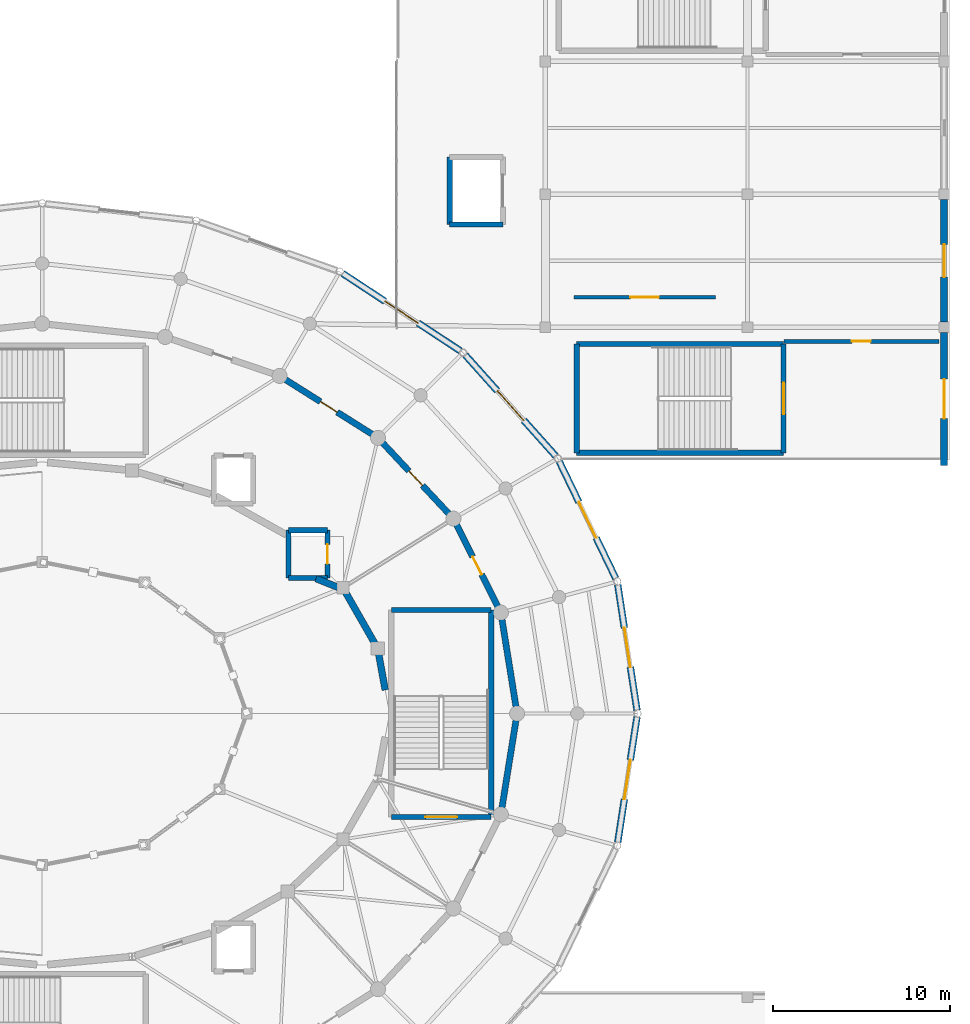
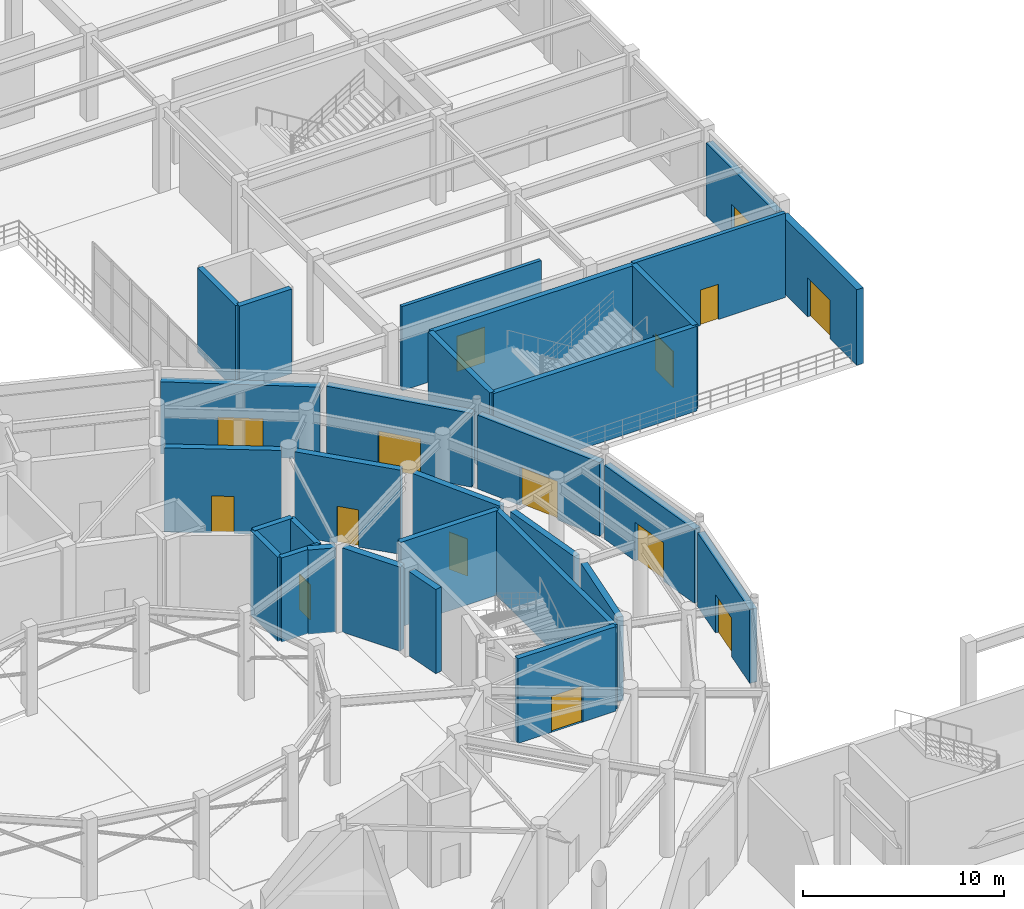
# One storey, part 61 of 93: 30 walls, 15 doors, 15 openings.
"""IFC4 building model written with IfcOpenShell, lengths in metres."""

from ifc_helpers import new_model, si_unit, direction, frame, frame_2d, origin, place, context, subcontext, project, spatial, rectangle, extrude, material, layer, layer_set, type_object, element, fill, save


model = new_model("IFC4")

# Units and contexts
model_context = context("Model", 3, precision=1e-05, world=origin(), true_north=direction((0.0, 1.0)))
body_context = subcontext(model_context, "Body", "Model", "MODEL_VIEW")
ifc_project = project(units=[si_unit("LENGTHUNIT", "METRE"), si_unit("AREAUNIT", "SQUARE_METRE"), si_unit("VOLUMEUNIT", "CUBIC_METRE"), si_unit("PLANEANGLEUNIT", "RADIAN"), si_unit("MASSUNIT", "GRAM", prefix="KILO")], contexts=[model_context])

# Site, building, storey
site_placement = place(None, origin())
site = spatial("IfcSite", under=ifc_project, at=site_placement, CompositionType="ELEMENT")
building_placement = place(site_placement, origin())
building = spatial("IfcBuilding", under=site, at=building_placement, Name="Cinderbank Siding Concert Hall", CompositionType="ELEMENT")
storey_placement = place(building_placement, origin())
storey = spatial("IfcBuildingStorey", under=building, at=storey_placement, Name="L01", CompositionType="ELEMENT", Elevation=0.0)

# Walls
ifc_material_1 = material(Name="Reinforced concrete AS 3600 N50 (50 MPa)", Category="concrete")
ifc_layer_1 = layer(ifc_material_1, 0.3798828125)
ifc_layer_set_1 = layer_set([ifc_layer_1], Name="Reinforced concrete AS 3600 N50 (50 MPa)")
wall_type_1 = type_object("IfcWallType", Name="WL-01 Structural Wall 380mm", PredefinedType="SOLIDWALL", material=ifc_layer_set_1)
wall_1_placement = place(storey_placement, frame((141.358642578125, 45.328125, 0.0), z_axis=(0.0, 0.0, 1.0), x_axis=(-0.17880262372, 0.983884963678, 0.0)))
element("IfcWall", 1, at=wall_1_placement, inside=storey, type_object=wall_type_1, Name="L01 Structural Wall SW-E1-L01-01", PredefinedType="SOLIDWALL", context=body_context, shape_type="SweptSolid", body=[
    extrude(rectangle(XDim=2.075439453125, YDim=0.3798828125, at=frame_2d((1.03759765625, 0.0))), origin(), (0.0, 0.0, 1.0), 5.1201171875),
])
wall_2_placement = place(storey_placement, frame((140.7783203125, 47.9443359375, 0.0), z_axis=(0.0, 0.0, 1.0), x_axis=(-0.496366522372, 0.868113054543, 0.0)))
element("IfcWall", 2, at=wall_2_placement, inside=storey, type_object=wall_type_1, Name="L01 Structural Wall SW-E1-L01-02", PredefinedType="SOLIDWALL", context=body_context, shape_type="SweptSolid", body=[
    extrude(rectangle(XDim=3.35009765625, YDim=0.3798828125, at=frame_2d((1.675048828125, 0.0))), origin(), (0.0, 0.0, 1.0), 5.1201171875),
])
wall_3_placement = place(storey_placement, frame((138.75, 51.10009765625, 0.0), z_axis=(0.0, 0.0, 1.0), x_axis=(-0.928476690885, 0.371390676354, 0.0)))
element("IfcWall", 3, at=wall_3_placement, inside=storey, type_object=wall_type_1, Name="L01 Structural Wall SW-E1-L01-03", PredefinedType="SOLIDWALL", context=body_context, shape_type="SweptSolid", body=[
    extrude(rectangle(XDim=1.400146484375, YDim=0.3798828125, at=frame_2d((0.7001953125, 0.0))), origin(), (0.0, 0.0, 1.0), 5.1201171875),
])
ifc_layer_2 = layer(ifc_material_1, 0.35009765625)
ifc_layer_set_2 = layer_set([ifc_layer_2], Name="Reinforced concrete AS 3600 N50 (50 MPa)")
wall_type_2 = type_object("IfcWallType", Name="WL-02 Structural Wall 350mm", PredefinedType="SHEAR", material=ifc_layer_set_2)
wall_4_placement = place(storey_placement, frame((148.742919921875, 44.35546875, 0.0), z_axis=(0.0, 0.0, 1.0), x_axis=(-0.158339548841, 0.987384721004, 0.0)))
element("IfcWall", 4, at=wall_4_placement, inside=storey, type_object=wall_type_2, Name="L01 Structural Wall SW-E2-L01-01", PredefinedType="SHEAR", context=body_context, shape_type="SweptSolid", body=[
    extrude(rectangle(XDim=5.046630859375, YDim=0.35009765625, at=frame_2d((2.5234375, 0.0))), origin(), (0.0, 0.0, 1.0), 5.1201171875),
])

# Wall, opening, door
wall_5_placement = place(storey_placement, frame((147.724609375, 50.015380859375, 0.0), z_axis=(0.0, 0.0, 1.0), x_axis=(-0.450482420117, 0.892785298471, 0.0)))
wall_5 = element("IfcWall", 5, at=wall_5_placement, inside=storey, type_object=wall_type_2, Name="L01 Structural Wall SW-E2-L01-02", PredefinedType="SHEAR", context=body_context, shape_type="SweptSolid", body=[
    extrude(rectangle(XDim=5.223388671875, YDim=0.35009765625, at=frame_2d((2.61181640625, 0.0))), origin(), (0.0, 0.0, 1.0), 5.1201171875),
])
opening_1_placement = place(wall_5_placement, frame((2.051513671875, 0.0, 0.0)))
opening_1 = element("IfcOpeningElement", 6, at=opening_1_placement, cuts=wall_5, Name="Opening D-19", PredefinedType="OPENING", context=body_context, shape_type="SweptSolid", body=[
    extrude(rectangle(XDim=1.1201171875, YDim=2.260009765625, at=frame_2d((0.56005859375, 1.1298828125))), frame((0.0, 0.18701171875, 0.0), z_axis=(0.0, -1.0, 0.0), x_axis=(1.0, 0.0, 0.0)), (0.0, 0.0, 1.0), 0.3740234375),
])
ifc_material_2 = material(Name="Solid-core spotted gum acoustic timber", Category="wood")
door_type_1 = type_object("IfcDoorType", Name="D-19 Interior Door 1120x2260", OperationType="NOTDEFINED", PredefinedType="DOOR", material=ifc_material_2)
door_1_placement = place(opening_1_placement, origin())
door_1 = element("IfcDoor", 7, at=door_1_placement, inside=storey, type_object=door_type_1, Name="L01 Auditorium Sound-Lock Door L01-D121", OperationType="SINGLE_SWING_RIGHT", OverallHeight=2.260009765625, OverallWidth=1.1201171875, PredefinedType="DOOR", context=body_context, shape_type="SweptSolid", body=[
    extrude(rectangle(XDim=1.1201171875, YDim=2.260009765625, at=frame_2d((0.56005859375, 1.1298828125))), frame((0.0, 0.02490234375, 0.0), z_axis=(0.0, -1.0, 0.0), x_axis=(1.0, 0.0, 0.0)), (0.0, 0.0, 1.0), 0.050048828125),
])
fill(opening_1, door_1)

wall_6_placement = place(storey_placement, frame((144.963623046875, 55.262939453125, 0.0), z_axis=(0.0, 0.0, 1.0), x_axis=(-0.682874636689, 0.730535577893, 0.0)))
wall_6 = element("IfcWall", 8, at=wall_6_placement, inside=storey, type_object=wall_type_2, Name="L01 Structural Wall SW-E2-L01-03", PredefinedType="SHEAR", context=body_context, shape_type="SweptSolid", body=[
    extrude(rectangle(XDim=5.516845703125, YDim=0.35009765625, at=frame_2d((2.75830078125, 0.0))), origin(), (0.0, 0.0, 1.0), 5.1201171875),
])
opening_2_placement = place(wall_6_placement, frame((2.198486328125, 0.0, 0.0)))
opening_2 = element("IfcOpeningElement", 9, at=opening_2_placement, cuts=wall_6, Name="Opening D-19", PredefinedType="OPENING", context=body_context, shape_type="SweptSolid", body=[
    extrude(rectangle(XDim=1.1201171875, YDim=2.260009765625, at=frame_2d((0.56005859375, 1.1298828125))), frame((0.0, 0.18701171875, 0.0), z_axis=(0.0, -1.0, 0.0), x_axis=(1.0, 0.0, 0.0)), (0.0, 0.0, 1.0), 0.3740234375),
])
door_2_placement = place(opening_2_placement, origin())
door_2 = element("IfcDoor", 10, at=door_2_placement, inside=storey, type_object=door_type_1, Name="L01 Auditorium Sound-Lock Door L01-D122", OperationType="SINGLE_SWING_LEFT", OverallHeight=2.260009765625, OverallWidth=1.1201171875, PredefinedType="DOOR", context=body_context, shape_type="SweptSolid", body=[
    extrude(rectangle(XDim=1.1201171875, YDim=2.260009765625, at=frame_2d((0.56005859375, 1.1298828125))), frame((0.0, 0.02490234375, 0.0), z_axis=(0.0, -1.0, 0.0), x_axis=(1.0, 0.0, 0.0)), (0.0, 0.0, 1.0), 0.050048828125),
])
fill(opening_2, door_2)

wall_7_placement = place(storey_placement, frame((140.64599609375, 59.748291015625, 0.0), z_axis=(0.0, 0.0, 1.0), x_axis=(-0.846151846743, 0.5329418845, 0.0)))
wall_7 = element("IfcWall", 11, at=wall_7_placement, inside=storey, type_object=wall_type_2, Name="L01 Structural Wall SW-E2-L01-04", PredefinedType="SHEAR", context=body_context, shape_type="SweptSolid", body=[
    extrude(rectangle(XDim=5.83984375, YDim=0.35009765625, at=frame_2d((2.919921875, 0.0))), origin(), (0.0, 0.0, 1.0), 5.1201171875),
])
opening_3_placement = place(wall_7_placement, frame((2.35986328125, 0.0, 0.0)))
opening_3 = element("IfcOpeningElement", 12, at=opening_3_placement, cuts=wall_7, Name="Opening D-19", PredefinedType="OPENING", context=body_context, shape_type="SweptSolid", body=[
    extrude(rectangle(XDim=1.1201171875, YDim=2.260009765625, at=frame_2d((0.56005859375, 1.1298828125))), frame((0.0, 0.18701171875, 0.0), z_axis=(0.0, -1.0, 0.0), x_axis=(1.0, 0.0, 0.0)), (0.0, 0.0, 1.0), 0.3740234375),
])
door_3_placement = place(opening_3_placement, origin())
door_3 = element("IfcDoor", 13, at=door_3_placement, inside=storey, type_object=door_type_1, Name="L01 Auditorium Sound-Lock Door L01-D123", OperationType="SINGLE_SWING_RIGHT", OverallHeight=2.260009765625, OverallWidth=1.1201171875, PredefinedType="DOOR", context=body_context, shape_type="SweptSolid", body=[
    extrude(rectangle(XDim=1.1201171875, YDim=2.260009765625, at=frame_2d((0.56005859375, 1.1298828125))), frame((0.0, 0.02490234375, 0.0), z_axis=(0.0, -1.0, 0.0), x_axis=(1.0, 0.0, 0.0)), (0.0, 0.0, 1.0), 0.050048828125),
])
fill(opening_3, door_3)

# Wall
wall_8_placement = place(storey_placement, frame((147.94384765625, 38.66162109375, 0.0), z_axis=(0.0, 0.0, 1.0), x_axis=(0.158339548841, 0.987384721004, 0.0)))
element("IfcWall", 14, at=wall_8_placement, inside=storey, type_object=wall_type_2, Name="L01 Structural Wall SW-E2-L01-24", PredefinedType="SHEAR", context=body_context, shape_type="SweptSolid", body=[
    extrude(rectangle(XDim=5.046630859375, YDim=0.35009765625, at=frame_2d((2.5234375, 0.0))), origin(), (0.0, 0.0, 1.0), 5.1201171875),
])

# Wall, opening, door
ifc_layer_3 = layer(ifc_material_1, 0.300048828125)
ifc_layer_set_3 = layer_set([ifc_layer_3], Name="Reinforced concrete AS 3600 N50 (50 MPa)")
wall_type_3 = type_object("IfcWallType", Name="WL-03 Structural Wall 300mm", PredefinedType="SHEAR", material=ifc_layer_set_3)
wall_9_placement = place(storey_placement, frame((147.340087890625, 38.159912109375, 0.0), z_axis=(0.0, 0.0, 1.0), x_axis=(-1.0, 0.0, 0.0)))
wall_9 = element("IfcWall", 15, at=wall_9_placement, inside=storey, type_object=wall_type_3, Name="L01 ST-03 Core Wall ENTRY", PredefinedType="SHEAR", context=body_context, shape_type="SweptSolid", body=[
    extrude(rectangle(XDim=5.64013671875, YDim=0.300048828125, at=frame_2d((2.820068359375, 0.0))), origin(), (0.0, 0.0, 1.0), 5.139892578125),
])
opening_4_placement = place(wall_9_placement, frame((1.919921875, 0.0, 0.0)))
opening_4 = element("IfcOpeningElement", 16, at=opening_4_placement, cuts=wall_9, Name="Opening D-05", PredefinedType="OPENING", context=body_context, shape_type="SweptSolid", body=[
    extrude(rectangle(XDim=1.800048828125, YDim=2.199951171875, at=frame_2d((0.89990234375, 1.10009765625))), frame((0.0, 0.162109375, 0.0), z_axis=(0.0, -1.0, 0.0), x_axis=(1.0, 0.0, 0.0)), (0.0, 0.0, 1.0), 0.323974609375),
])
ifc_material_3 = material(Name="Galvanised sheet steel acoustic fire door assembly", Category="steel")
door_type_2 = type_object("IfcDoorType", Name="D-05 Interior Door 1800x2200", OperationType="DOUBLE_DOOR_SINGLE_SWING", PredefinedType="DOOR", material=ifc_material_3)
door_4_placement = place(opening_4_placement, origin())
door_4 = element("IfcDoor", 17, at=door_4_placement, inside=storey, type_object=door_type_2, Name="L01 ST-03 Fire Stair Door L01-D016", OperationType="DOUBLE_DOOR_SINGLE_SWING", OverallHeight=2.199951171875, OverallWidth=1.800048828125, PredefinedType="DOOR", context=body_context, shape_type="SweptSolid", body=[
    extrude(rectangle(XDim=1.800048828125, YDim=2.199951171875, at=frame_2d((0.89990234375, 1.10009765625))), frame((0.0, 0.02490234375, 0.0), z_axis=(0.0, -1.0, 0.0), x_axis=(1.0, 0.0, 0.0)), (0.0, 0.0, 1.0), 0.050048828125),
])
fill(opening_4, door_4)

# Walls
wall_10_placement = place(storey_placement, frame((141.699951171875, 49.840087890625, 0.0), z_axis=(0.0, 0.0, 1.0), x_axis=(1.0, 0.0, 0.0)))
element("IfcWall", 18, at=wall_10_placement, inside=storey, type_object=wall_type_3, Name="L01 ST-03 Core Wall FAR", PredefinedType="SHEAR", context=body_context, shape_type="SweptSolid", body=[
    extrude(rectangle(XDim=5.64013671875, YDim=0.300048828125, at=frame_2d((2.820068359375, 0.0))), origin(), (0.0, 0.0, 1.0), 5.139892578125),
])
wall_11_placement = place(storey_placement, frame((147.340087890625, 49.840087890625, 0.0), z_axis=(0.0, 0.0, 1.0), x_axis=(0.0, -1.0, 0.0)))
element("IfcWall", 19, at=wall_11_placement, inside=storey, type_object=wall_type_3, Name="L01 ST-03 Core Wall SIDE1", PredefinedType="SHEAR", context=body_context, shape_type="SweptSolid", body=[
    extrude(rectangle(XDim=11.68017578125, YDim=0.300048828125, at=frame_2d((5.840087890625, 0.0))), origin(), (0.0, 0.0, 1.0), 5.139892578125),
])

# Wall, opening, door
wall_12_placement = place(storey_placement, frame((163.840087890625, 64.85009765625, 0.0), z_axis=(0.0, 0.0, 1.0), x_axis=(0.0, -1.0, 0.0)))
wall_12 = element("IfcWall", 20, at=wall_12_placement, inside=storey, type_object=wall_type_3, Name="L01 ST-12 Core Wall ENTRY", PredefinedType="SHEAR", context=body_context, shape_type="SweptSolid", body=[
    extrude(rectangle(XDim=6.14013671875, YDim=0.300048828125, at=frame_2d((3.070068359375, 0.0))), origin(), (0.0, 0.0, 1.0), 5.139892578125),
])
opening_5_placement = place(wall_12_placement, frame((2.169921875, 0.0, 0.0)))
opening_5 = element("IfcOpeningElement", 21, at=opening_5_placement, cuts=wall_12, Name="Opening D-05", PredefinedType="OPENING", context=body_context, shape_type="SweptSolid", body=[
    extrude(rectangle(XDim=1.800048828125, YDim=2.199951171875, at=frame_2d((0.89990234375, 1.10009765625))), frame((0.0, 0.162109375, 0.0), z_axis=(0.0, -1.0, 0.0), x_axis=(1.0, 0.0, 0.0)), (0.0, 0.0, 1.0), 0.323974609375),
])
door_5_placement = place(opening_5_placement, origin())
door_5 = element("IfcDoor", 22, at=door_5_placement, inside=storey, type_object=door_type_2, Name="L01 ST-12 Fire Stair Door L01-D059", OperationType="DOUBLE_DOOR_SINGLE_SWING", OverallHeight=2.199951171875, OverallWidth=1.800048828125, PredefinedType="DOOR", context=body_context, shape_type="SweptSolid", body=[
    extrude(rectangle(XDim=1.800048828125, YDim=2.199951171875, at=frame_2d((0.89990234375, 1.10009765625))), frame((0.0, 0.02490234375, 0.0), z_axis=(0.0, -1.0, 0.0), x_axis=(1.0, 0.0, 0.0)), (0.0, 0.0, 1.0), 0.050048828125),
])
fill(opening_5, door_5)

# Walls
wall_13_placement = place(storey_placement, frame((152.159912109375, 58.7099609375, 0.0), z_axis=(0.0, 0.0, 1.0), x_axis=(0.0, 1.0, 0.0)))
element("IfcWall", 23, at=wall_13_placement, inside=storey, type_object=wall_type_3, Name="L01 ST-12 Core Wall FAR", PredefinedType="SHEAR", context=body_context, shape_type="SweptSolid", body=[
    extrude(rectangle(XDim=6.14013671875, YDim=0.300048828125, at=frame_2d((3.070068359375, 0.0))), origin(), (0.0, 0.0, 1.0), 5.139892578125),
])
for number, where, z_axis, x_axis, name in (
    (24, (152.159912109375, 64.85009765625, 0.0), (0.0, 0.0, 1.0), (1.0, 0.0, 0.0), "L01 ST-12 Core Wall SIDE1"),
    (25, (163.840087890625, 58.7099609375, 0.0), (0.0, 0.0, 1.0), (-1.0, 0.0, 0.0), "L01 ST-12 Core Wall SIDE2"),
):
    element("IfcWall", number, at=place(storey_placement, frame(where, z_axis=z_axis, x_axis=x_axis)), inside=storey, type_object=wall_type_3, Name=name, PredefinedType="SHEAR", context=body_context, shape_type="SweptSolid", body=[
        extrude(rectangle(XDim=11.68017578125, YDim=0.300048828125, at=frame_2d((5.840087890625, 0.0))), origin(), (0.0, 0.0, 1.0), 5.139892578125),
    ])
wall_14_placement = place(storey_placement, frame((138.10009765625, 51.64990234375, 0.0), z_axis=(0.0, 0.0, 1.0), x_axis=(-1.0, 0.0, 0.0)))
element("IfcWall", 26, at=wall_14_placement, inside=storey, type_object=wall_type_3, Name="L01 LF-03 Shaft Wall -Y", PredefinedType="SHEAR", context=body_context, shape_type="SweptSolid", body=[
    extrude(rectangle(XDim=2.2001953125, YDim=0.300048828125, at=frame_2d((1.10009765625, 0.0))), origin(), (0.0, 0.0, 1.0), 5.1201171875),
])

# Wall, opening, door
wall_15_placement = place(storey_placement, frame((138.10009765625, 54.35009765625, 0.0), z_axis=(0.0, 0.0, 1.0), x_axis=(0.0, -1.0, 0.0)))
wall_15 = element("IfcWall", 27, at=wall_15_placement, inside=storey, type_object=wall_type_3, Name="L01 LF-03 Shaft Wall +X", PredefinedType="SHEAR", context=body_context, shape_type="SweptSolid", body=[
    extrude(rectangle(XDim=2.7001953125, YDim=0.300048828125, at=frame_2d((1.35009765625, 0.0))), origin(), (0.0, 0.0, 1.0), 5.1201171875),
])
opening_6_placement = place(wall_15_placement, frame((0.800048828125, 0.0, 0.0)))
opening_6 = element("IfcOpeningElement", 28, at=opening_6_placement, cuts=wall_15, Name="Opening LD-01", PredefinedType="OPENING", context=body_context, shape_type="SweptSolid", body=[
    extrude(rectangle(XDim=1.10009765625, YDim=2.14990234375, at=frame_2d((0.550048828125, 1.074951171875))), frame((0.0, 0.162109375, 0.0), z_axis=(0.0, -1.0, 0.0), x_axis=(1.0, 0.0, 0.0)), (0.0, 0.0, 1.0), 0.323974609375),
])
door_type_3 = type_object("IfcDoorType", Name="LD-01 Interior Door 1100x2150", OperationType="DOUBLE_DOOR_SLIDING", PredefinedType="DOOR", material=ifc_material_3)
door_6_placement = place(opening_6_placement, origin())
door_6 = element("IfcDoor", 29, at=door_6_placement, inside=storey, type_object=door_type_3, Name="L01 LF-03 Sliding Landing Door", OperationType="DOUBLE_DOOR_SLIDING", OverallHeight=2.14990234375, OverallWidth=1.10009765625, PredefinedType="DOOR", context=body_context, shape_type="SweptSolid", body=[
    extrude(rectangle(XDim=1.10009765625, YDim=2.14990234375, at=frame_2d((0.550048828125, 1.074951171875))), frame((0.0, 0.02490234375, 0.0), z_axis=(0.0, -1.0, 0.0), x_axis=(1.0, 0.0, 0.0)), (0.0, 0.0, 1.0), 0.050048828125),
])
fill(opening_6, door_6)

# Walls
wall_16_placement = place(storey_placement, frame((135.89990234375, 54.35009765625, 0.0), z_axis=(0.0, 0.0, 1.0), x_axis=(1.0, 0.0, 0.0)))
element("IfcWall", 30, at=wall_16_placement, inside=storey, type_object=wall_type_3, Name="L01 LF-03 Shaft Wall +Y", PredefinedType="SHEAR", context=body_context, shape_type="SweptSolid", body=[
    extrude(rectangle(XDim=2.2001953125, YDim=0.300048828125, at=frame_2d((1.10009765625, 0.0))), origin(), (0.0, 0.0, 1.0), 5.139892578125),
])
wall_17_placement = place(storey_placement, frame((135.89990234375, 51.64990234375, 0.0), z_axis=(0.0, 0.0, 1.0), x_axis=(0.0, 1.0, 0.0)))
element("IfcWall", 31, at=wall_17_placement, inside=storey, type_object=wall_type_3, Name="L01 LF-03 Shaft Wall -X", PredefinedType="SHEAR", context=body_context, shape_type="SweptSolid", body=[
    extrude(rectangle(XDim=2.7001953125, YDim=0.300048828125, at=frame_2d((1.35009765625, 0.0))), origin(), (0.0, 0.0, 1.0), 5.1201171875),
])
wall_18_placement = place(storey_placement, frame((148.0, 71.60009765625, 0.0), z_axis=(0.0, 0.0, 1.0), x_axis=(-1.0, 0.0, 0.0)))
element("IfcWall", 32, at=wall_18_placement, inside=storey, type_object=wall_type_3, Name="L01 LF-08 Shaft Wall -Y", PredefinedType="SHEAR", context=body_context, shape_type="SweptSolid", body=[
    extrude(rectangle(XDim=3.0, YDim=0.300048828125, at=frame_2d((1.5, 0.0))), origin(), (0.0, 0.0, 1.0), 5.139892578125),
])
wall_19_placement = place(storey_placement, frame((145.0, 71.60009765625, 0.0), z_axis=(0.0, 0.0, 1.0), x_axis=(0.0, 1.0, 0.0)))
element("IfcWall", 33, at=wall_19_placement, inside=storey, type_object=wall_type_3, Name="L01 LF-08 Shaft Wall -X", PredefinedType="SHEAR", context=body_context, shape_type="SweptSolid", body=[
    extrude(rectangle(XDim=3.7998046875, YDim=0.300048828125, at=frame_2d((1.89990234375, 0.0))), origin(), (0.0, 0.0, 1.0), 5.139892578125),
])

# Wall, opening, door
ifc_layer_4 = layer(ifc_material_1, 0.219970703125)
ifc_layer_set_4 = layer_set([ifc_layer_4], Name="Reinforced concrete AS 3600 N50 (50 MPa)")
wall_type_4 = type_object("IfcWallType", Name="WL-06 Interior Wall 220mm", PredefinedType="SOLIDWALL", material=ifc_layer_set_4)
wall_20_placement = place(storey_placement, frame((163.85009765625, 65.0, 0.0), z_axis=(0.0, 0.0, 1.0), x_axis=(1.0, 0.0, 0.0)))
wall_20 = element("IfcWall", 34, at=wall_20_placement, inside=storey, type_object=wall_type_4, Name="L01 Fire-Isolated Exit Passage Wall EPW-12-N", PredefinedType="SOLIDWALL", context=body_context, shape_type="SweptSolid", body=[
    extrude(rectangle(XDim=8.75, YDim=0.219970703125, at=frame_2d((4.375, 0.0))), origin(), (0.0, 0.0, 1.0), 5.125),
])
opening_7_placement = place(wall_20_placement, frame((3.85009765625, 0.0, 0.0)))
opening_7 = element("IfcOpeningElement", 35, at=opening_7_placement, cuts=wall_20, Name="Opening D-02", PredefinedType="OPENING", context=body_context, shape_type="SweptSolid", body=[
    extrude(rectangle(XDim=1.050048828125, YDim=2.14990234375, at=frame_2d((0.52490234375, 1.074951171875))), frame((0.0, 0.1220703125, 0.0), z_axis=(0.0, -1.0, 0.0), x_axis=(1.0, 0.0, 0.0)), (0.0, 0.0, 1.0), 0.243896484375),
])
door_type_4 = type_object("IfcDoorType", Name="D-02 Interior Door 1050x2150", OperationType="NOTDEFINED", PredefinedType="DOOR", material=ifc_material_3)
door_7_placement = place(opening_7_placement, origin())
door_7 = element("IfcDoor", 36, at=door_7_placement, inside=storey, type_object=door_type_4, Name="L01 Exit Passage Fire Door L01-D100", OperationType="SINGLE_SWING_LEFT", OverallHeight=2.14990234375, OverallWidth=1.050048828125, PredefinedType="DOOR", context=body_context, shape_type="SweptSolid", body=[
    extrude(rectangle(XDim=1.050048828125, YDim=2.14990234375, at=frame_2d((0.52490234375, 1.074951171875))), frame((0.0, 0.02490234375, 0.0), z_axis=(0.0, -1.0, 0.0), x_axis=(1.0, 0.0, 0.0)), (0.0, 0.0, 1.0), 0.050048828125),
])
fill(opening_7, door_7)

ifc_material_4 = material(Name="Sydney Hawkesbury sandstone ashlar masonry", Category="masonry")
ifc_layer_5 = layer(ifc_material_4, 0.389892578125)
ifc_layer_set_5 = layer_set([ifc_layer_5], Name="Sydney Hawkesbury sandstone ashlar masonry")
wall_type_5 = type_object("IfcWallType", Name="WL-09 Exterior Wall 390mm", PredefinedType="STANDARD", material=ifc_layer_set_5)
wall_21_placement = place(storey_placement, frame((154.483642578125, 51.26806640625, 0.0), z_axis=(0.0, 0.0, 1.0), x_axis=(0.151798573045, -0.988411449358, 0.0)))
wall_21 = element("IfcWall", 37, at=wall_21_placement, inside=storey, type_object=wall_type_5, Name="L01 Facade Wall EW-E4-L01-01", PredefinedType="STANDARD", context=body_context, shape_type="SweptSolid", body=[
    extrude(rectangle(XDim=7.1650390625, YDim=0.389892578125, at=frame_2d((3.58251953125, 0.0))), origin(), (0.0, 0.0, 1.0), 4.487060546875),
])
opening_8_placement = place(wall_21_placement, frame((2.46240234375, 0.0, 0.0)))
opening_8 = element("IfcOpeningElement", 38, at=opening_8_placement, cuts=wall_21, Name="Opening ED-D1", PredefinedType="OPENING", context=body_context, shape_type="SweptSolid", body=[
    extrude(rectangle(XDim=2.239990234375, YDim=2.35009765625, at=frame_2d((1.1201171875, 1.175048828125))), frame((0.0, 0.20703125, 0.0), z_axis=(0.0, -1.0, 0.0), x_axis=(1.0, 0.0, 0.0)), (0.0, 0.0, 1.0), 0.413818359375),
])
door_type_5 = type_object("IfcDoorType", Name="ED-D1 Exterior Door 2240x2350", OperationType="DOUBLE_DOOR_SINGLE_SWING", PredefinedType="DOOR", material=ifc_material_3)
door_8_placement = place(opening_8_placement, origin())
door_8 = element("IfcDoor", 39, at=door_8_placement, inside=storey, type_object=door_type_5, Name="Grand Foyer Exit Door S01", OperationType="DOUBLE_DOOR_SINGLE_SWING", OverallHeight=2.35009765625, OverallWidth=2.239990234375, PredefinedType="DOOR", context=body_context, shape_type="SweptSolid", body=[
    extrude(rectangle(XDim=2.239990234375, YDim=2.35009765625, at=frame_2d((1.1201171875, 1.175048828125))), frame((0.0, 0.02490234375, 0.0), z_axis=(0.0, -1.0, 0.0), x_axis=(1.0, 0.0, 0.0)), (0.0, 0.0, 1.0), 0.050048828125),
])
fill(opening_8, door_8)

wall_22_placement = place(storey_placement, frame((151.180419921875, 58.23046875, 0.0), z_axis=(0.0, 0.0, 1.0), x_axis=(0.435115618282, -0.900374588006, 0.0)))
wall_22 = element("IfcWall", 40, at=wall_22_placement, inside=storey, type_object=wall_type_5, Name="L01 Facade Wall EW-E4-L01-02", PredefinedType="STANDARD", context=body_context, shape_type="SweptSolid", body=[
    extrude(rectangle(XDim=7.337890625, YDim=0.389892578125, at=frame_2d((3.6689453125, 0.0))), origin(), (0.0, 0.0, 1.0), 4.487060546875),
])
opening_9_placement = place(wall_22_placement, frame((2.549072265625, 0.0, 0.0)))
opening_9 = element("IfcOpeningElement", 41, at=opening_9_placement, cuts=wall_22, Name="Opening ED-D1", PredefinedType="OPENING", context=body_context, shape_type="SweptSolid", body=[
    extrude(rectangle(XDim=2.239990234375, YDim=2.35009765625, at=frame_2d((1.1201171875, 1.175048828125))), frame((0.0, 0.20703125, 0.0), z_axis=(0.0, -1.0, 0.0), x_axis=(1.0, 0.0, 0.0)), (0.0, 0.0, 1.0), 0.413818359375),
])
door_9_placement = place(opening_9_placement, origin())
door_9 = element("IfcDoor", 42, at=door_9_placement, inside=storey, type_object=door_type_5, Name="Grand Foyer Exit Door S02", OperationType="DOUBLE_DOOR_SINGLE_SWING", OverallHeight=2.35009765625, OverallWidth=2.239990234375, PredefinedType="DOOR", context=body_context, shape_type="SweptSolid", body=[
    extrude(rectangle(XDim=2.239990234375, YDim=2.35009765625, at=frame_2d((1.1201171875, 1.175048828125))), frame((0.0, 0.02490234375, 0.0), z_axis=(0.0, -1.0, 0.0), x_axis=(1.0, 0.0, 0.0)), (0.0, 0.0, 1.0), 0.050048828125),
])
fill(opening_9, door_9)

wall_23_placement = place(storey_placement, frame((150.972900390625, 58.540283203125, 0.0), z_axis=(0.0, 0.0, 1.0), x_axis=(-0.666987529742, 0.745068879479, 0.0)))
wall_23 = element("IfcWall", 43, at=wall_23_placement, inside=storey, type_object=wall_type_5, Name="L01 Facade Wall EW-E4-L01-03", PredefinedType="STANDARD", context=body_context, shape_type="SweptSolid", body=[
    extrude(rectangle(XDim=7.629150390625, YDim=0.389892578125, at=frame_2d((3.814453125, 0.0))), origin(), (0.0, 0.0, 1.0), 4.487060546875),
])
opening_10_placement = place(wall_23_placement, frame((2.694580078125, 0.0, 0.0)))
opening_10 = element("IfcOpeningElement", 44, at=opening_10_placement, cuts=wall_23, Name="Opening ED-D1", PredefinedType="OPENING", context=body_context, shape_type="SweptSolid", body=[
    extrude(rectangle(XDim=2.239990234375, YDim=2.35009765625, at=frame_2d((1.1201171875, 1.175048828125))), frame((0.0, 0.20703125, 0.0), z_axis=(0.0, -1.0, 0.0), x_axis=(1.0, 0.0, 0.0)), (0.0, 0.0, 1.0), 0.413818359375),
])
door_10_placement = place(opening_10_placement, origin())
door_10 = element("IfcDoor", 45, at=door_10_placement, inside=storey, type_object=door_type_5, Name="Grand Foyer Exit Door S03", OperationType="DOUBLE_DOOR_SINGLE_SWING", OverallHeight=2.35009765625, OverallWidth=2.239990234375, PredefinedType="DOOR", context=body_context, shape_type="SweptSolid", body=[
    extrude(rectangle(XDim=2.239990234375, YDim=2.35009765625, at=frame_2d((1.1201171875, 1.175048828125))), frame((0.0, 0.02490234375, 0.0), z_axis=(0.0, -1.0, 0.0), x_axis=(1.0, 0.0, 0.0)), (0.0, 0.0, 1.0), 0.050048828125),
])
fill(opening_10, door_10)

wall_24_placement = place(storey_placement, frame((145.6015625, 64.468017578125, 0.0), z_axis=(0.0, 0.0, 1.0), x_axis=(-0.835481991605, 0.549517826556, 0.0)))
wall_24 = element("IfcWall", 46, at=wall_24_placement, inside=storey, type_object=wall_type_5, Name="L01 Facade Wall EW-E4-L01-04", PredefinedType="STANDARD", context=body_context, shape_type="SweptSolid", body=[
    extrude(rectangle(XDim=7.95263671875, YDim=0.389892578125, at=frame_2d((3.976318359375, 0.0))), origin(), (0.0, 0.0, 1.0), 4.386962890625),
])
opening_11_placement = place(wall_24_placement, frame((2.856201171875, 0.0, 0.0)))
opening_11 = element("IfcOpeningElement", 47, at=opening_11_placement, cuts=wall_24, Name="Opening ED-D1", PredefinedType="OPENING", context=body_context, shape_type="SweptSolid", body=[
    extrude(rectangle(XDim=2.239990234375, YDim=2.35009765625, at=frame_2d((1.1201171875, 1.175048828125))), frame((0.0, 0.20703125, 0.0), z_axis=(0.0, -1.0, 0.0), x_axis=(1.0, 0.0, 0.0)), (0.0, 0.0, 1.0), 0.413818359375),
])
door_11_placement = place(opening_11_placement, origin())
door_11 = element("IfcDoor", 48, at=door_11_placement, inside=storey, type_object=door_type_5, Name="Grand Foyer Exit Door S04", OperationType="DOUBLE_DOOR_SINGLE_SWING", OverallHeight=2.35009765625, OverallWidth=2.239990234375, PredefinedType="DOOR", context=body_context, shape_type="SweptSolid", body=[
    extrude(rectangle(XDim=2.239990234375, YDim=2.35009765625, at=frame_2d((1.1201171875, 1.175048828125))), frame((0.0, 0.02490234375, 0.0), z_axis=(0.0, -1.0, 0.0), x_axis=(1.0, 0.0, 0.0)), (0.0, 0.0, 1.0), 0.050048828125),
])
fill(opening_11, door_11)

wall_25_placement = place(storey_placement, frame((155.5712890625, 43.81396484375, 0.0), z_axis=(0.0, 0.0, 1.0), x_axis=(-0.151798573045, -0.988411449358, 0.0)))
wall_25 = element("IfcWall", 49, at=wall_25_placement, inside=storey, type_object=wall_type_5, Name="L01 Facade Wall EW-E4-L01-24", PredefinedType="STANDARD", context=body_context, shape_type="SweptSolid", body=[
    extrude(rectangle(XDim=7.1650390625, YDim=0.389892578125, at=frame_2d((3.58251953125, 0.0))), origin(), (0.0, 0.0, 1.0), 4.487060546875),
])
opening_12_placement = place(wall_25_placement, frame((2.46240234375, 0.0, 0.0)))
opening_12 = element("IfcOpeningElement", 50, at=opening_12_placement, cuts=wall_25, Name="Opening ED-D1", PredefinedType="OPENING", context=body_context, shape_type="SweptSolid", body=[
    extrude(rectangle(XDim=2.239990234375, YDim=2.35009765625, at=frame_2d((1.1201171875, 1.175048828125))), frame((0.0, 0.20703125, 0.0), z_axis=(0.0, -1.0, 0.0), x_axis=(1.0, 0.0, 0.0)), (0.0, 0.0, 1.0), 0.413818359375),
])
door_12_placement = place(opening_12_placement, origin())
door_12 = element("IfcDoor", 51, at=door_12_placement, inside=storey, type_object=door_type_5, Name="Grand Foyer Exit Door S24", OperationType="DOUBLE_DOOR_SINGLE_SWING", OverallHeight=2.35009765625, OverallWidth=2.239990234375, PredefinedType="DOOR", context=body_context, shape_type="SweptSolid", body=[
    extrude(rectangle(XDim=2.239990234375, YDim=2.35009765625, at=frame_2d((1.1201171875, 1.175048828125))), frame((0.0, 0.02490234375, 0.0), z_axis=(0.0, -1.0, 0.0), x_axis=(1.0, 0.0, 0.0)), (0.0, 0.0, 1.0), 0.050048828125),
])
fill(opening_12, door_12)

wall_26_placement = place(storey_placement, frame((172.89990234375, 65.514892578125, 0.0), z_axis=(0.0, 0.0, 1.0), x_axis=(0.0, -1.0, 0.0)))
wall_26 = element("IfcWall", 52, at=wall_26_placement, inside=storey, type_object=wall_type_5, Name="L01 Facade Wall EW-EL-E0-L01", PredefinedType="STANDARD", context=body_context, shape_type="SweptSolid", body=[
    extrude(rectangle(XDim=7.514892578125, YDim=0.389892578125, at=frame_2d((3.75732421875, 0.0))), origin(), (0.0, 0.0, 1.0), 4.60009765625),
])
opening_13_placement = place(wall_26_placement, frame((2.637451171875, 0.0, 0.0)))
opening_13 = element("IfcOpeningElement", 53, at=opening_13_placement, cuts=wall_26, Name="Opening ED-D1", PredefinedType="OPENING", context=body_context, shape_type="SweptSolid", body=[
    extrude(rectangle(XDim=2.239990234375, YDim=2.35009765625, at=frame_2d((1.1201171875, 1.175048828125))), frame((0.0, 0.20703125, 0.0), z_axis=(0.0, -1.0, 0.0), x_axis=(1.0, 0.0, 0.0)), (0.0, 0.0, 1.0), 0.413818359375),
])
door_13_placement = place(opening_13_placement, origin())
door_13 = element("IfcDoor", 54, at=door_13_placement, inside=storey, type_object=door_type_5, Name="Perimeter Final Exit EL-E0", OperationType="DOUBLE_DOOR_SINGLE_SWING", OverallHeight=2.35009765625, OverallWidth=2.239990234375, PredefinedType="DOOR", context=body_context, shape_type="SweptSolid", body=[
    extrude(rectangle(XDim=2.239990234375, YDim=2.35009765625, at=frame_2d((1.1201171875, 1.175048828125))), frame((0.0, 0.02490234375, 0.0), z_axis=(0.0, -1.0, 0.0), x_axis=(1.0, 0.0, 0.0)), (0.0, 0.0, 1.0), 0.050048828125),
])
fill(opening_13, door_13)

wall_27_placement = place(storey_placement, frame((172.89990234375, 73.014892578125, 0.0), z_axis=(0.0, 0.0, 1.0), x_axis=(0.0, -1.0, 0.0)))
wall_27 = element("IfcWall", 55, at=wall_27_placement, inside=storey, type_object=wall_type_5, Name="L01 Facade Wall EW-EL-E1-L01", PredefinedType="STANDARD", context=body_context, shape_type="SweptSolid", body=[
    extrude(rectangle(XDim=6.929931640625, YDim=0.389892578125, at=frame_2d((3.46484375, 0.0))), origin(), (0.0, 0.0, 1.0), 4.427001953125),
])
opening_14_placement = place(wall_27_placement, frame((2.5400390625, 0.0, 0.0)))
opening_14 = element("IfcOpeningElement", 56, at=opening_14_placement, cuts=wall_27, Name="Opening ED-D3", PredefinedType="OPENING", context=body_context, shape_type="SweptSolid", body=[
    extrude(rectangle(XDim=1.85009765625, YDim=2.25, at=frame_2d((0.925048828125, 1.125))), frame((0.0, 0.20703125, 0.0), z_axis=(0.0, -1.0, 0.0), x_axis=(1.0, 0.0, 0.0)), (0.0, 0.0, 1.0), 0.413818359375),
])
door_type_6 = type_object("IfcDoorType", Name="ED-D3 Exterior Door 1850x2250", OperationType="DOUBLE_DOOR_SINGLE_SWING", PredefinedType="DOOR", material=ifc_material_3)
door_14_placement = place(opening_14_placement, origin())
door_14 = element("IfcDoor", 57, at=door_14_placement, inside=storey, type_object=door_type_6, Name="Perimeter Final Exit EL-E1", OperationType="DOUBLE_DOOR_SINGLE_SWING", OverallHeight=2.25, OverallWidth=1.85009765625, PredefinedType="DOOR", context=body_context, shape_type="SweptSolid", body=[
    extrude(rectangle(XDim=1.85009765625, YDim=2.25, at=frame_2d((0.925048828125, 1.125))), frame((0.0, 0.02490234375, 0.0), z_axis=(0.0, -1.0, 0.0), x_axis=(1.0, 0.0, 0.0)), (0.0, 0.0, 1.0), 0.050048828125),
])
fill(opening_14, door_14)

ifc_material_5 = material(Name="Acoustic plasterboard on light-gauge steel studs", Category="gypsum")
ifc_layer_6 = layer(ifc_material_5, 0.199951171875)
ifc_layer_set_6 = layer_set([ifc_layer_6], Name="Acoustic plasterboard on light-gauge steel studs")
wall_type_6 = type_object("IfcWallType", Name="WL-12 Interior Wall 200mm", PredefinedType="PARTITIONING", material=ifc_layer_set_6)
wall_28_placement = place(storey_placement, frame((152.0, 67.5, 0.0), z_axis=(0.0, 0.0, 1.0), x_axis=(1.0, 0.0, 0.0)))
wall_28 = element("IfcWall", 58, at=wall_28_placement, inside=storey, type_object=wall_type_6, Name="L01 Partition Instrument Airlock", PredefinedType="PARTITIONING", context=body_context, shape_type="SweptSolid", body=[
    extrude(rectangle(XDim=8.0, YDim=0.199951171875, at=frame_2d((4.0, 0.0))), origin(), (0.0, 0.0, 1.0), 5.125),
])
opening_15_placement = place(wall_28_placement, frame((3.199951171875, 0.0, 0.0)))
opening_15 = element("IfcOpeningElement", 59, at=opening_15_placement, cuts=wall_28, Name="Opening D-14", PredefinedType="OPENING", context=body_context, shape_type="SweptSolid", body=[
    extrude(rectangle(XDim=1.60009765625, YDim=2.14990234375, at=frame_2d((0.800048828125, 1.074951171875))), frame((0.0, 0.11181640625, 0.0), z_axis=(0.0, -1.0, 0.0), x_axis=(1.0, 0.0, 0.0)), (0.0, 0.0, 1.0), 0.223876953125),
])
door_type_7 = type_object("IfcDoorType", Name="D-14 Interior Door 1600x2150", OperationType="DOUBLE_DOOR_SINGLE_SWING", PredefinedType="DOOR", material=ifc_material_3)
door_15_placement = place(opening_15_placement, origin())
door_15 = element("IfcDoor", 60, at=door_15_placement, inside=storey, type_object=door_type_7, Name="L01 Instrument Airlock Door L01-D254", OperationType="DOUBLE_DOOR_SINGLE_SWING", OverallHeight=2.14990234375, OverallWidth=1.60009765625, PredefinedType="DOOR", context=body_context, shape_type="SweptSolid", body=[
    extrude(rectangle(XDim=1.60009765625, YDim=2.14990234375, at=frame_2d((0.800048828125, 1.074951171875))), frame((0.0, 0.02490234375, 0.0), z_axis=(0.0, -1.0, 0.0), x_axis=(1.0, 0.0, 0.0)), (0.0, 0.0, 1.0), 0.050048828125),
])
fill(opening_15, door_15)

save(model, "model.ifc")
